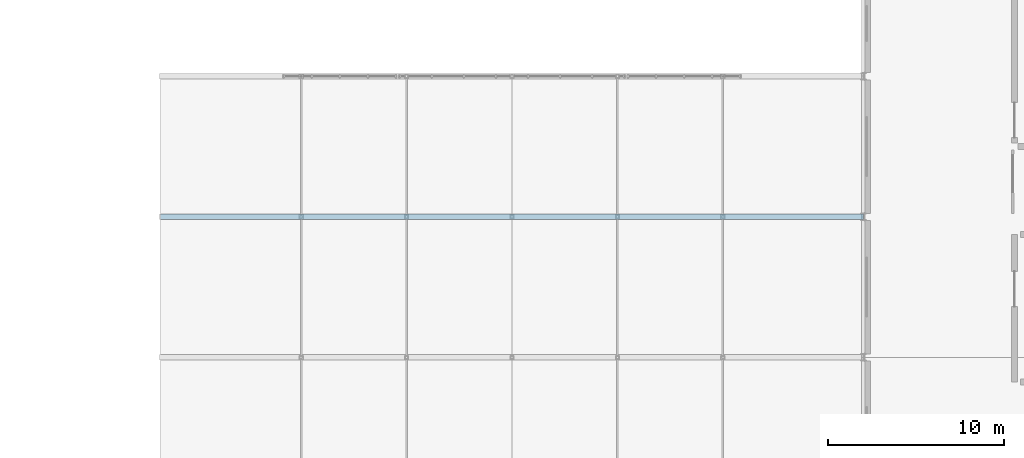
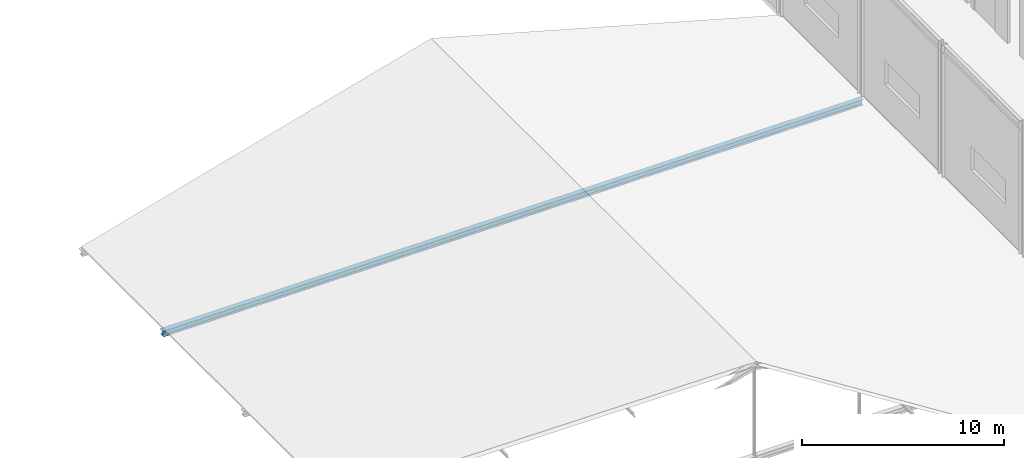
# One storey, part 29 of 49: 1 member.
"""IFC4 building model written with IfcOpenShell, lengths in metres."""

from ifc_helpers import new_model, si_unit, direction, frame, origin, origin_2d, place, context, subcontext, project, spatial, i_section, extrude, material, material_profile, profile_set, type_object, element, save


model = new_model("IFC4")

# Units and contexts
model_context = context("Model", 3, precision=1e-05, world=origin(), true_north=direction((0.0, 1.0)))
body_context = subcontext(model_context, "Body", "Model", "MODEL_VIEW")
ifc_project = project(units=[si_unit("LENGTHUNIT", "METRE"), si_unit("AREAUNIT", "SQUARE_METRE"), si_unit("VOLUMEUNIT", "CUBIC_METRE"), si_unit("PLANEANGLEUNIT", "RADIAN"), si_unit("MASSUNIT", "GRAM", prefix="KILO")], contexts=[model_context])

# Site, building, storey
site_placement = place(None, origin())
site = spatial("IfcSite", under=ifc_project, at=site_placement, CompositionType="ELEMENT")
building_placement = place(site_placement, origin())
building = spatial("IfcBuilding", under=site, at=building_placement, Name="Sundkrona Museum", CompositionType="ELEMENT")
storey_placement = place(building_placement, frame((0.0, 0.0, 26.0)))
storey = spatial("IfcBuildingStorey", under=building, at=storey_placement, Name="L05", CompositionType="ELEMENT", Elevation=26.0)

# Member
ifc_material = material(Name="Steel S355J2", Category="steel")
ifc_material_profile = material_profile(ifc_material, i_section(OverallWidth=0.300048828125, OverallDepth=0.35009765625, WebThickness=0.010009765625, FlangeThickness=0.017578125, FilletRadius=0.027099609375, at=origin_2d()), Name="HEA 360")
ifc_profile_set = profile_set([ifc_material_profile], Name="Steel S355J2")
member_type = type_object("IfcMemberType", Name="TC-HEA360", PredefinedType="CHORD", material=ifc_profile_set)
member_placement = place(storey_placement, frame((80.0, 32.0, -0.39990234375), z_axis=(1.0, 0.0, 0.0), x_axis=(0.0, 1.0, 0.0)))
element("IfcMember", 1, at=member_placement, inside=storey, type_object=member_type, Name="RFS-1 Atrium Truss 5 Continuous Tie Chord", PredefinedType="CHORD", context=body_context, shape_type="SweptSolid", body=[
    extrude(i_section(OverallWidth=0.300048828125, OverallDepth=0.35009765625, WebThickness=0.010009765625, FlangeThickness=0.017578125, FilletRadius=0.027099609375, at=origin_2d()), origin(), (0.0, 0.0, 1.0), 40.0),
])

save(model, "model.ifc")
